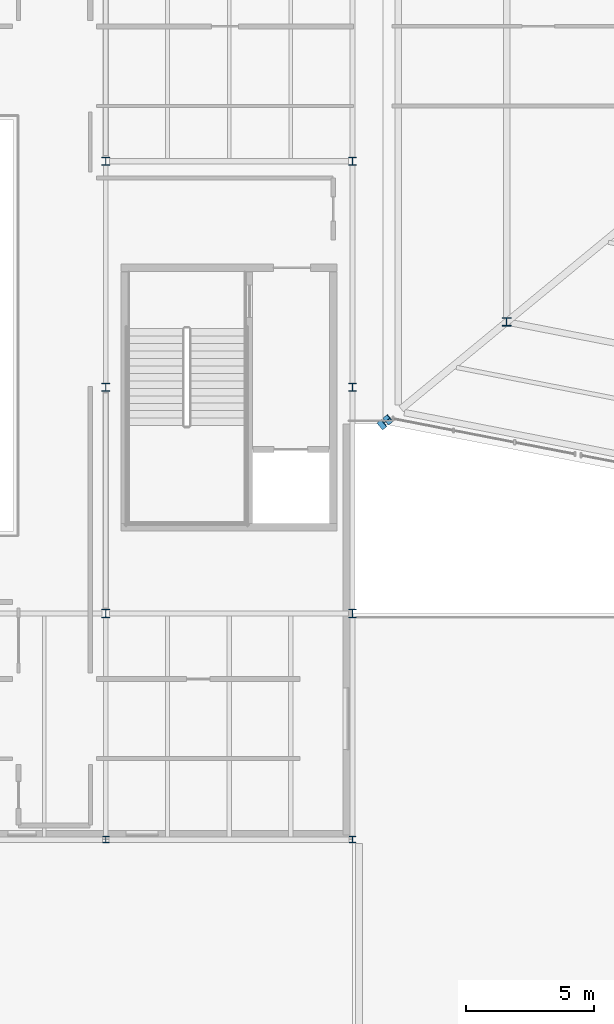
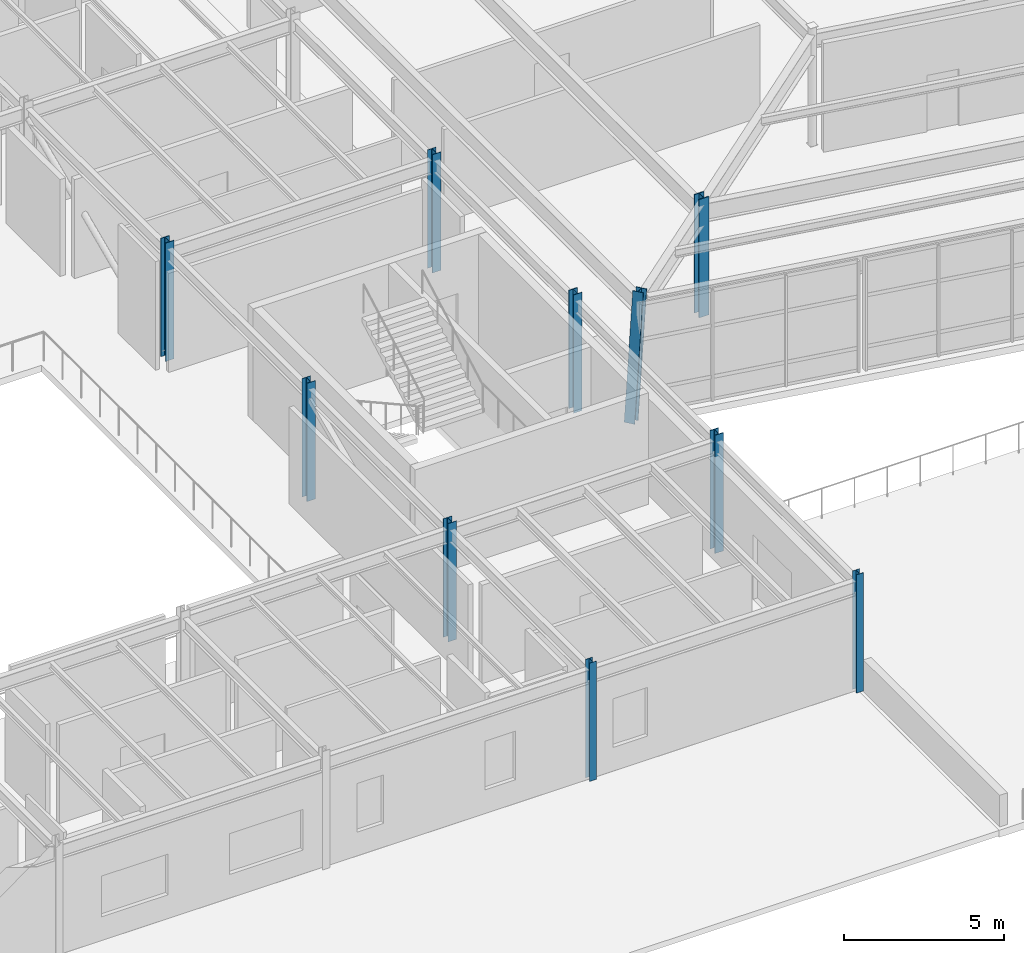
# One storey, part 6 of 69: 10 columns.
"""IFC4 building model written with IfcOpenShell, lengths in metres."""

from ifc_helpers import new_model, si_unit, direction, frame, origin, origin_2d, place, context, subcontext, project, spatial, i_section, extrude, material, material_profile, profile_set, type_object, element, save


model = new_model("IFC4")

# Units and contexts
model_context = context("Model", 3, precision=1e-05, world=origin(), true_north=direction((0.0, 1.0)))
body_context = subcontext(model_context, "Body", "Model", "MODEL_VIEW")
ifc_project = project(units=[si_unit("LENGTHUNIT", "METRE"), si_unit("AREAUNIT", "SQUARE_METRE"), si_unit("VOLUMEUNIT", "CUBIC_METRE"), si_unit("PLANEANGLEUNIT", "RADIAN"), si_unit("MASSUNIT", "GRAM", prefix="KILO")], contexts=[model_context])

# Site, building, storey
site_placement = place(None, origin())
site = spatial("IfcSite", under=ifc_project, at=site_placement, CompositionType="ELEMENT")
building_placement = place(site_placement, origin())
building = spatial("IfcBuilding", under=site, at=building_placement, Name="Sarnbrook Museum", CompositionType="ELEMENT")
storey_placement = place(building_placement, frame((0.0, 0.0, 14.60009765625)))
storey = spatial("IfcBuildingStorey", under=building, at=storey_placement, Name="L03", CompositionType="ELEMENT", Elevation=14.60009765625)

# Columns
ifc_material_1 = material(Name="Structural Steel Grade 300PLUS (AS/NZS 3679.1, fy = 280 MPa for 17 < t <= 40 mm, 300 MPa for t <= 17 mm)", Category="steel")
ifc_material_profile_1 = material_profile(ifc_material_1, i_section(OverallWidth=0.25390625, OverallDepth=0.25390625, WebThickness=0.008544921875, FlangeThickness=0.01416015625, FilletRadius=0.0126953125, at=origin_2d()), Name="250UC72.9")
ifc_profile_set_1 = profile_set([ifc_material_profile_1], Name="Structural Steel Grade 300PLUS (AS/NZS 3679.1, fy = 280 MPa for 17 < t <= 40 mm, 300 MPa for t <= 17 mm)")
column_type_1 = type_object("IfcColumnType", Name="COL-UC250", PredefinedType="COLUMN", material=ifc_profile_set_1)
for number, where, z_axis, x_axis, name in (
    (1, (109.60009765625, 48.0, 0.0), (0.0, 0.0, 1.0), (1.0, 0.0, 0.0), "Column 12-F L03"),
    (2, (119.199951171875, 48.0, 0.0), (0.0, 0.0, 1.0), (1.0, 0.0, 0.0), "Column 13-F L03"),
):
    element("IfcColumn", number, at=place(storey_placement, frame(where, z_axis=z_axis, x_axis=x_axis)), inside=storey, type_object=column_type_1, Name=name, PredefinedType="COLUMN", context=body_context, shape_type="SweptSolid", body=[
        extrude(i_section(OverallWidth=0.25390625, OverallDepth=0.25390625, WebThickness=0.008544921875, FlangeThickness=0.01416015625, FilletRadius=0.0126953125, at=origin_2d()), origin(), (0.0, 0.0, 1.0), 4.5),
    ])
ifc_material_profile_2 = material_profile(ifc_material_1, i_section(OverallWidth=0.306884765625, OverallDepth=0.31494140625, WebThickness=0.011962890625, FlangeThickness=0.018798828125, FilletRadius=0.0166015625, at=origin_2d()), Name="310UC118")
ifc_profile_set_2 = profile_set([ifc_material_profile_2], Name="Structural Steel Grade 300PLUS (AS/NZS 3679.1, fy = 280 MPa for 17 < t <= 40 mm, 300 MPa for t <= 17 mm)")
column_type_2 = type_object("IfcColumnType", Name="COL-UC310", PredefinedType="COLUMN", material=ifc_profile_set_2)
for number, where, z_axis, x_axis, name in (
    (3, (109.60009765625, 56.800048828125, 0.0), (0.0, 0.0, 1.0), (1.0, 0.0, 0.0), "Column 12-G L03"),
    (4, (109.60009765625, 65.60009765625, 0.0), (0.0, 0.0, 1.0), (1.0, 0.0, 0.0), "Column 12-H L03"),
    (5, (109.60009765625, 74.39990234375, 0.0), (0.0, 0.0, 1.0), (1.0, 0.0, 0.0), "Column 12-J L03"),
    (6, (119.199951171875, 56.800048828125, 0.0), (0.0, 0.0, 1.0), (1.0, 0.0, 0.0), "Column 13-G L03"),
    (7, (119.199951171875, 65.60009765625, 0.0), (0.0, 0.0, 1.0), (1.0, 0.0, 0.0), "Column 13-H L03"),
    (8, (119.199951171875, 74.39990234375, 0.0), (0.0, 0.0, 1.0), (1.0, 0.0, 0.0), "Column 13-J L03"),
):
    element("IfcColumn", number, at=place(storey_placement, frame(where, z_axis=z_axis, x_axis=x_axis)), inside=storey, type_object=column_type_2, Name=name, PredefinedType="COLUMN", context=body_context, shape_type="SweptSolid", body=[
        extrude(i_section(OverallWidth=0.306884765625, OverallDepth=0.31494140625, WebThickness=0.011962890625, FlangeThickness=0.018798828125, FilletRadius=0.0166015625, at=origin_2d()), origin(), (0.0, 0.0, 1.0), 4.5),
    ])
ifc_material_2 = material(Name="Structural Steel Grade 350L0 (AS/NZS 3678, fy = 340 MPa for 20 < t <= 40 mm)", Category="steel")
ifc_material_profile_3 = material_profile(ifc_material_2, i_section(OverallWidth=0.35009765625, OverallDepth=0.3310546875, WebThickness=0.02001953125, FlangeThickness=0.028076171875, at=origin_2d()), Name="350WC197")
ifc_profile_set_3 = profile_set([ifc_material_profile_3], Name="Structural Steel Grade 350L0 (AS/NZS 3678, fy = 340 MPa for 20 < t <= 40 mm)")
column_type_3 = type_object("IfcColumnType", Name="COL-WC350", PredefinedType="COLUMN", material=ifc_profile_set_3)
column_1_placement = place(storey_placement, frame((120.385009765625, 64.17626953125, 0.0), z_axis=(0.129745588293, 0.106909081202, 0.985766975849), x_axis=(-0.63591908935, 0.771755733248, 0.0)))
element("IfcColumn", 9, at=column_1_placement, inside=storey, type_object=column_type_3, Name="Raking Crystal Rib Column V1 L03", PredefinedType="COLUMN", context=body_context, shape_type="SweptSolid", body=[
    extrude(i_section(OverallWidth=0.35009765625, OverallDepth=0.3310546875, WebThickness=0.02001953125, FlangeThickness=0.028076171875, at=origin_2d()), origin(), (0.0, 0.0, 1.0), 4.56494140625),
])
column_2_placement = place(storey_placement, frame((125.199951171875, 68.143310546875, 0.0), z_axis=(0.0, 0.0, 1.0), x_axis=(1.0, 0.0, 0.0)))
element("IfcColumn", 10, at=column_2_placement, inside=storey, type_object=column_type_3, Name="Crystal Hall Ring Column R1-1 L03", PredefinedType="COLUMN", context=body_context, shape_type="SweptSolid", body=[
    extrude(i_section(OverallWidth=0.35009765625, OverallDepth=0.3310546875, WebThickness=0.02001953125, FlangeThickness=0.028076171875, at=origin_2d()), origin(), (0.0, 0.0, 1.0), 4.5),
])

save(model, "model.ifc")
